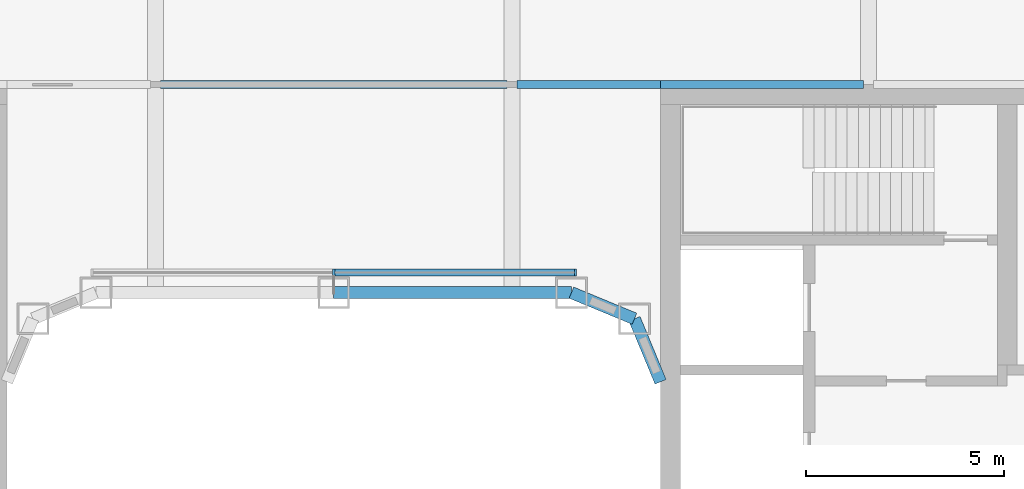
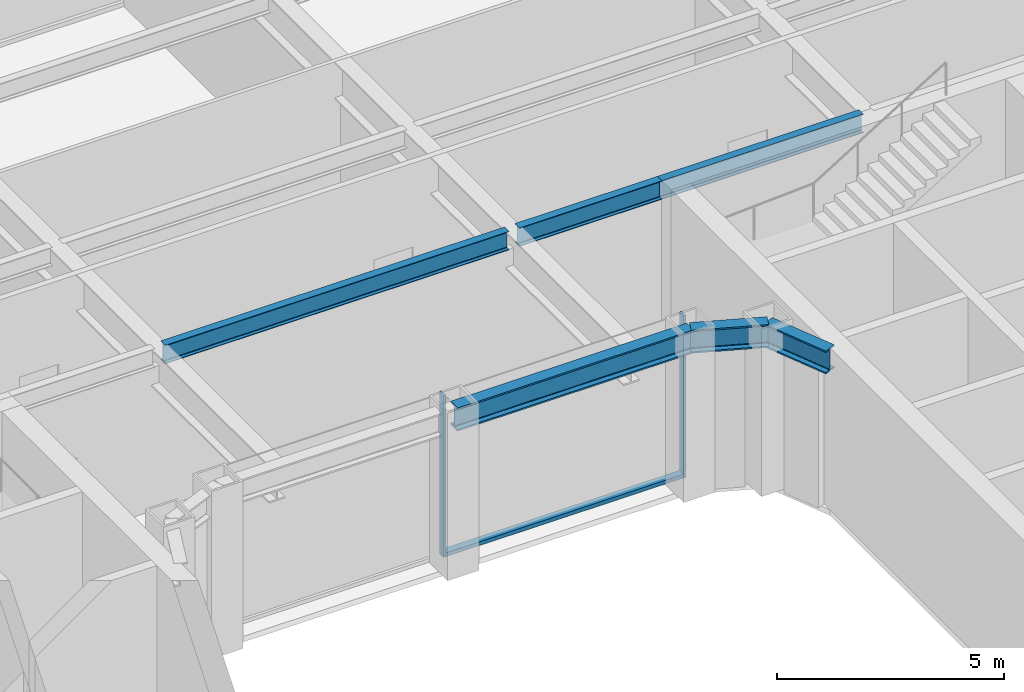
# One storey, part 8 of 29: 6 beams, 3 members, 1 element without a shape of its own.
"""IFC4 building model written with IfcOpenShell, lengths in metres."""

from ifc_helpers import new_model, si_unit, direction, frame, origin, origin_2d, place, context, subcontext, project, spatial, rectangle, i_section, extrude, material, layer, layer_set, material_profile, profile_set, type_object, element, aggregate, save


model = new_model("IFC4")

# Units and contexts
model_context = context("Model", 3, precision=1e-05, world=origin(), true_north=direction((0.0, 1.0)))
body_context = subcontext(model_context, "Body", "Model", "MODEL_VIEW")
ifc_project = project(units=[si_unit("LENGTHUNIT", "METRE"), si_unit("AREAUNIT", "SQUARE_METRE"), si_unit("VOLUMEUNIT", "CUBIC_METRE"), si_unit("PLANEANGLEUNIT", "RADIAN"), si_unit("MASSUNIT", "GRAM", prefix="KILO")], contexts=[model_context])

# Site, building, storey
site_placement = place(None, origin())
site = spatial("IfcSite", under=ifc_project, at=site_placement, CompositionType="ELEMENT")
building_placement = place(site_placement, origin())
building = spatial("IfcBuilding", under=site, at=building_placement, Name="Siwar Civic Tower", CompositionType="ELEMENT")
storey_placement = place(building_placement, frame((0.0, 0.0, 49.199951171875)))
storey = spatial("IfcBuildingStorey", under=building, at=storey_placement, Name="L10", CompositionType="ELEMENT", Elevation=49.199951171875)

# Curtain wall, members
ifc_material_1 = material(Name="Aluminium and glass", Category="aluminium")
ifc_layer = layer(ifc_material_1, 0.179931640625)
ifc_layer_set = layer_set([ifc_layer], Name="Aluminium and glass")
curtain_wall_type = type_object("IfcCurtainWallType", Name="ENV-CW-W", PredefinedType="NOTDEFINED", material=ifc_layer_set)
curtain_wall_placement = place(storey_placement, origin())
curtain_wall = element("IfcCurtainWall", 1, at=curtain_wall_placement, inside=storey, type_object=curtain_wall_type, Name="Curtain wall W WN", PredefinedType="NOTDEFINED")
ifc_material_2 = material(Name="Aluminium 6063-T6", Category="aluminium")
ifc_material_profile_1 = material_profile(ifc_material_2, rectangle(XDim=0.179931640625, YDim=0.06005859375, at=origin_2d()), Name="AL 180x60")
ifc_profile_set_1 = profile_set([ifc_material_profile_1], Name="Aluminium 6063-T6")
member_type_1 = type_object("IfcMemberType", Name="ENV-MULLION-W", PredefinedType="MULLION", material=ifc_profile_set_1)
member_1_placement = place(storey_placement, frame((6.1015625, 8.760009765625, 0.0), z_axis=(0.0, 0.0, 1.0), x_axis=(0.0, -1.0, 0.0)))
member_1 = element("IfcMember", 2, at=member_1_placement, type_object=member_type_1, Name="Mullion W WN 1", PredefinedType="MULLION", context=body_context, shape_type="SweptSolid", body=[
    extrude(rectangle(XDim=0.179931640625, YDim=0.06005859375, at=origin_2d()), origin(), (0.0, 0.0, 1.0), 4.35009765625),
])
member_2_placement = place(storey_placement, frame((0.0, 8.760009765625, 0.0), z_axis=(0.0, 0.0, 1.0), x_axis=(0.0, -1.0, 0.0)))
member_2 = element("IfcMember", 3, at=member_2_placement, type_object=member_type_1, Name="Mullion W WN 2", PredefinedType="MULLION", context=body_context, shape_type="SweptSolid", body=[
    extrude(rectangle(XDim=0.179931640625, YDim=0.06005859375, at=origin_2d()), origin(), (0.0, 0.0, 1.0), 4.35009765625),
])
ifc_material_3 = material(Name="Aluminium 6063-T6", Category="aluminium")
ifc_material_profile_2 = material_profile(ifc_material_3, rectangle(XDim=0.179931640625, YDim=0.10009765625, at=origin_2d()), Name="AL 180x100")
ifc_profile_set_2 = profile_set([ifc_material_profile_2], Name="Aluminium 6063-T6")
member_type_2 = type_object("IfcMemberType", Name="ENV-TRANSOM-W", PredefinedType="USERDEFINED", material=ifc_profile_set_2)
member_3_placement = place(storey_placement, frame((6.071533203125, 8.760009765625, 0.050048828125), z_axis=(-1.0, 0.0, 0.0), x_axis=(0.0, -1.0, 0.0)))
member_3 = element("IfcMember", 4, at=member_3_placement, type_object=member_type_2, Name="Transom W WN 1", ObjectType="TRANSOM", PredefinedType="USERDEFINED", context=body_context, shape_type="SweptSolid", body=[
    extrude(rectangle(XDim=0.179931640625, YDim=0.10009765625, at=origin_2d()), origin(), (0.0, 0.0, 1.0), 6.04150390625),
])
aggregate(curtain_wall, [member_1, member_2, member_3])

# Beams
ifc_material_4 = material(Name="Steel S355", Category="steel")
ifc_material_profile_3 = material_profile(ifc_material_4, i_section(OverallWidth=0.199951171875, OverallDepth=0.5, WebThickness=0.01025390625, FlangeThickness=0.01611328125, FilletRadius=0.02099609375, at=origin_2d()), Name="IPE500")
ifc_profile_set_3 = profile_set([ifc_material_profile_3], Name="Steel S355")
beam_type_1 = type_object("IfcBeamType", Name="STR-FB-IPE500", PredefinedType="JOIST", material=ifc_profile_set_3)
beam_1_placement = place(storey_placement, frame((-4.3701171875, 13.5, 4.10009765625), z_axis=(1.0, 0.0, 0.0), x_axis=(0.0, 1.0, 0.0)))
element("IfcBeam", 5, at=beam_1_placement, inside=storey, type_object=beam_type_1, Name="L10/bm/F041", PredefinedType="JOIST", context=body_context, shape_type="SweptSolid", body=[
    extrude(i_section(OverallWidth=0.199951171875, OverallDepth=0.5, WebThickness=0.01025390625, FlangeThickness=0.01611328125, FilletRadius=0.02099609375, at=origin_2d()), origin(), (0.0, 0.0, 1.0), 8.740234375),
])
beam_2_placement = place(storey_placement, frame((4.6298828125, 13.5, 4.10009765625), z_axis=(1.0, 0.0, 0.0), x_axis=(0.0, 1.0, 0.0)))
element("IfcBeam", 6, at=beam_2_placement, inside=storey, type_object=beam_type_1, Name="L10/bm/F042", PredefinedType="JOIST", context=body_context, shape_type="SweptSolid", body=[
    extrude(i_section(OverallWidth=0.199951171875, OverallDepth=0.5, WebThickness=0.01025390625, FlangeThickness=0.01611328125, FilletRadius=0.02099609375, at=origin_2d()), origin(), (0.0, 0.0, 1.0), 3.6201171875),
])
beam_3_placement = place(storey_placement, frame((8.25, 13.5, 4.10009765625), z_axis=(1.0, 0.0, 0.0), x_axis=(0.0, 1.0, 0.0)))
element("IfcBeam", 7, at=beam_3_placement, inside=storey, type_object=beam_type_1, Name="L10/bm/F043", PredefinedType="JOIST", context=body_context, shape_type="SweptSolid", body=[
    extrude(i_section(OverallWidth=0.199951171875, OverallDepth=0.5, WebThickness=0.01025390625, FlangeThickness=0.01611328125, FilletRadius=0.02099609375, at=origin_2d()), origin(), (0.0, 0.0, 1.0), 5.1201171875),
])
ifc_material_5 = material(Name="Steel S355", Category="steel")
ifc_material_profile_4 = material_profile(ifc_material_5, i_section(OverallWidth=0.304931640625, OverallDepth=0.6201171875, WebThickness=0.02099609375, FlangeThickness=0.0400390625, FilletRadius=0.027099609375, at=origin_2d()), Name="HEM600")
ifc_profile_set_4 = profile_set([ifc_material_profile_4], Name="Steel S355")
beam_type_2 = type_object("IfcBeamType", Name="STR-RB-HEM600", PredefinedType="BEAM", material=ifc_profile_set_4)
beam_4_placement = place(storey_placement, frame((0.0, 8.25, 4.0400390625), z_axis=(1.0, 0.0, 0.0), x_axis=(0.0, 1.0, 0.0)))
element("IfcBeam", 8, at=beam_4_placement, inside=storey, type_object=beam_type_2, Name="L10/bm/RN2", PredefinedType="BEAM", context=body_context, shape_type="SweptSolid", body=[
    extrude(i_section(OverallWidth=0.304931640625, OverallDepth=0.6201171875, WebThickness=0.02099609375, FlangeThickness=0.0400390625, FilletRadius=0.027099609375, at=origin_2d()), origin(), (0.0, 0.0, 1.0), 6.0),
])
for number, where, z_axis, x_axis, name in (
    (9, (6.0, 8.25, 4.0400390625), (0.923901072997, -0.382631424892, 0.0), (0.382631424892, 0.923901072997, 0.0), "L10/bm/RN3"),
    (10, (7.591064453125, 7.591064453125, 4.0400390625), (0.382631424892, -0.923901072997, 0.0), (0.923901072997, 0.382631424892, 0.0), "L10/bm/RNEE"),
):
    element("IfcBeam", number, at=place(storey_placement, frame(where, z_axis=z_axis, x_axis=x_axis)), inside=storey, type_object=beam_type_2, Name=name, PredefinedType="BEAM", context=body_context, shape_type="SweptSolid", body=[
        extrude(i_section(OverallWidth=0.304931640625, OverallDepth=0.6201171875, WebThickness=0.02099609375, FlangeThickness=0.0400390625, FilletRadius=0.027099609375, at=origin_2d()), origin(), (0.0, 0.0, 1.0), 1.72216796875),
    ])

save(model, "model.ifc")
